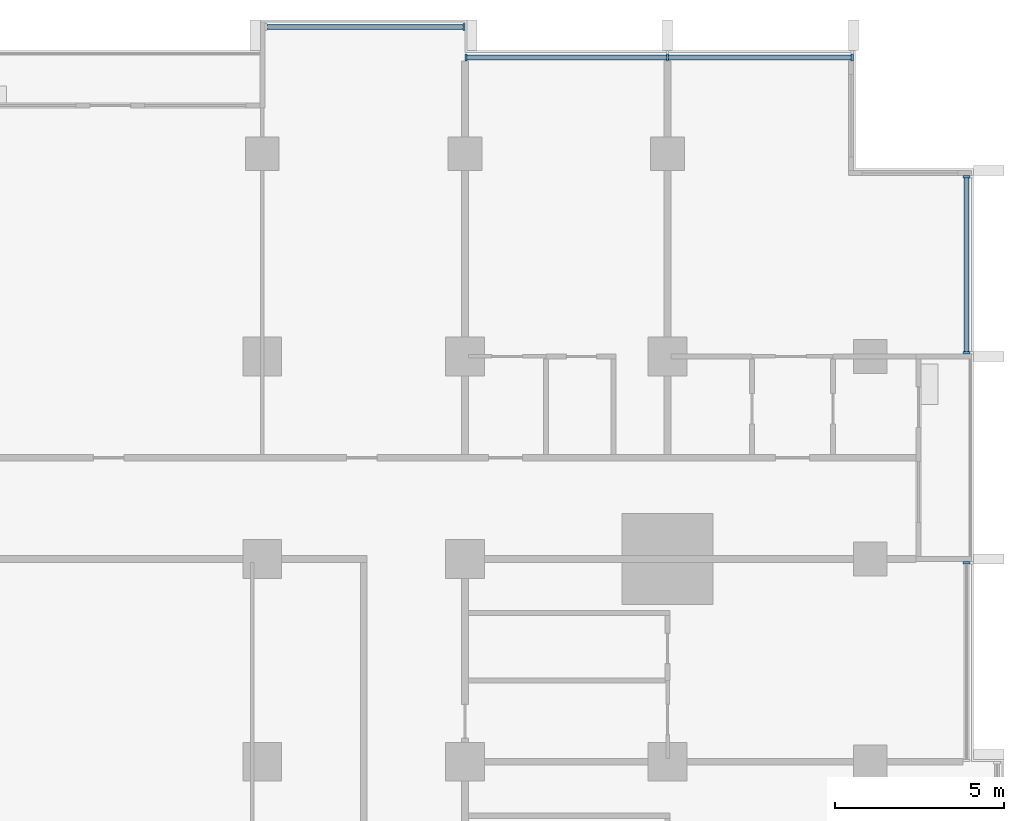
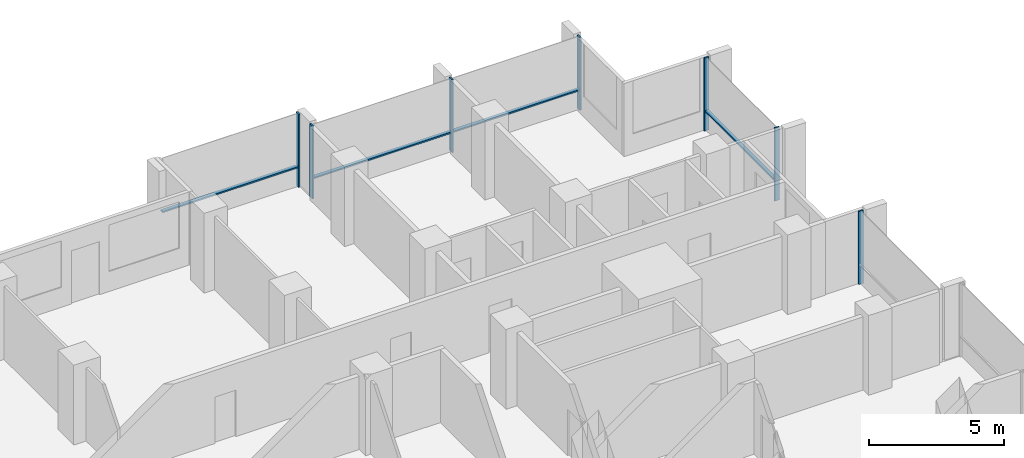
# One storey, part 5 of 17: 11 members, 4 elements without a shape of their own.
"""IFC4 building model written with IfcOpenShell, lengths in metres."""

from ifc_helpers import new_model, si_unit, direction, frame, origin, origin_2d, place, context, subcontext, project, spatial, rectangle, extrude, material, material_profile, profile_set, type_object, element, aggregate, save


model = new_model("IFC4")

# Units and contexts
model_context = context("Model", 3, precision=1e-05, world=origin(), true_north=direction((0.0, 1.0)))
body_context = subcontext(model_context, "Body", "Model", "MODEL_VIEW")
ifc_project = project(units=[si_unit("LENGTHUNIT", "METRE"), si_unit("AREAUNIT", "SQUARE_METRE"), si_unit("VOLUMEUNIT", "CUBIC_METRE"), si_unit("PLANEANGLEUNIT", "RADIAN"), si_unit("MASSUNIT", "GRAM", prefix="KILO")], contexts=[model_context])

# Site, building, storey
site_placement = place(None, origin())
site = spatial("IfcSite", under=ifc_project, at=site_placement, CompositionType="ELEMENT")
building_placement = place(site_placement, origin())
building = spatial("IfcBuilding", under=site, at=building_placement, Name="Finial Court Residences", CompositionType="ELEMENT")
storey_placement = place(building_placement, frame((0.0, 0.0, 113.5)))
storey = spatial("IfcBuildingStorey", under=building, at=storey_placement, Name="L28", CompositionType="ELEMENT", Elevation=113.5)

# Curtain wall, member
ifc_material = material(Name="Bronze anodised aluminium", Category="aluminium")
curtain_wall_type = type_object("IfcCurtainWallType", Name="Unitised curtain wall, lower and middle zones", PredefinedType="NOTDEFINED", material=ifc_material)
curtain_wall_1_placement = place(storey_placement, origin())
curtain_wall_1 = element("IfcCurtainWall", 1, at=curtain_wall_1_placement, inside=storey, type_object=curtain_wall_type, Name="E-L28-CW-N2", PredefinedType="NOTDEFINED")
ifc_material_profile_1 = material_profile(ifc_material, rectangle(XDim=0.199951171875, YDim=0.06494140625, at=origin_2d()), Name="CW1 mullion 65 x 200")
ifc_profile_set_1 = profile_set([ifc_material_profile_1], Name="Bronze anodised aluminium")
member_type_1 = type_object("IfcMemberType", Name="CW1 mullion 65 x 200", PredefinedType="MULLION", material=ifc_profile_set_1)
member_1_placement = place(storey_placement, frame((10.467529296875, 23.25, 0.0), z_axis=(0.0, 0.0, 1.0), x_axis=(0.0, 1.0, 0.0)))
member_1 = element("IfcMember", 2, at=member_1_placement, type_object=member_type_1, Name="CW1 mullion 2", PredefinedType="MULLION", context=body_context, shape_type="SweptSolid", body=[
    extrude(rectangle(XDim=0.199951171875, YDim=0.06494140625, at=origin_2d()), origin(), (0.0, 0.0, 1.0), 3.300048828125),
])

# Curtain wall, members
curtain_wall_2_placement = place(storey_placement, origin())
curtain_wall_2 = element("IfcCurtainWall", 3, at=curtain_wall_2_placement, inside=storey, type_object=curtain_wall_type, Name="E-L28-CW-N3", PredefinedType="NOTDEFINED")
member_2_placement = place(storey_placement, frame((10.532470703125, 22.35009765625, 0.0), z_axis=(0.0, 0.0, 1.0), x_axis=(0.0, 1.0, 0.0)))
member_2 = element("IfcMember", 4, at=member_2_placement, type_object=member_type_1, Name="CW1 mullion 1", PredefinedType="MULLION", context=body_context, shape_type="SweptSolid", body=[
    extrude(rectangle(XDim=0.199951171875, YDim=0.06494140625, at=origin_2d()), origin(), (0.0, 0.0, 1.0), 3.300048828125),
])
member_3_placement = place(storey_placement, frame((16.5, 22.35009765625, 0.0), z_axis=(0.0, 0.0, 1.0), x_axis=(0.0, 1.0, 0.0)))
member_3 = element("IfcMember", 5, at=member_3_placement, type_object=member_type_1, Name="CW1 mullion 2", PredefinedType="MULLION", context=body_context, shape_type="SweptSolid", body=[
    extrude(rectangle(XDim=0.199951171875, YDim=0.06494140625, at=origin_2d()), origin(), (0.0, 0.0, 1.0), 3.300048828125),
])
member_4_placement = place(storey_placement, frame((21.967529296875, 22.35009765625, 0.0), z_axis=(0.0, 0.0, 1.0), x_axis=(0.0, 1.0, 0.0)))
member_4 = element("IfcMember", 6, at=member_4_placement, type_object=member_type_1, Name="CW1 mullion 3", PredefinedType="MULLION", context=body_context, shape_type="SweptSolid", body=[
    extrude(rectangle(XDim=0.199951171875, YDim=0.06494140625, at=origin_2d()), origin(), (0.0, 0.0, 1.0), 3.300048828125),
])

# Curtain wall, member
curtain_wall_3_placement = place(storey_placement, origin())
curtain_wall_3 = element("IfcCurtainWall", 7, at=curtain_wall_3_placement, inside=storey, type_object=curtain_wall_type, Name="E-L28-CW-E6", PredefinedType="NOTDEFINED")
member_5_placement = place(storey_placement, frame((25.35009765625, 7.392578125, 0.0), z_axis=(0.0, 0.0, 1.0), x_axis=(-1.0, 0.0, 0.0)))
member_5 = element("IfcMember", 8, at=member_5_placement, type_object=member_type_1, Name="CW1 mullion 2", PredefinedType="MULLION", context=body_context, shape_type="SweptSolid", body=[
    extrude(rectangle(XDim=0.199951171875, YDim=0.06494140625, at=origin_2d()), origin(), (0.0, 0.0, 1.0), 3.300048828125),
])
aggregate(curtain_wall_3, [member_5])

# Curtain wall, members
curtain_wall_4_placement = place(storey_placement, origin())
curtain_wall_4 = element("IfcCurtainWall", 9, at=curtain_wall_4_placement, inside=storey, type_object=curtain_wall_type, Name="E-L28-CW-E7", PredefinedType="NOTDEFINED")
member_6_placement = place(storey_placement, frame((25.35009765625, 13.607421875, 0.0), z_axis=(0.0, 0.0, 1.0), x_axis=(-1.0, 0.0, 0.0)))
member_6 = element("IfcMember", 10, at=member_6_placement, type_object=member_type_1, Name="CW1 mullion 1", PredefinedType="MULLION", context=body_context, shape_type="SweptSolid", body=[
    extrude(rectangle(XDim=0.199951171875, YDim=0.06494140625, at=origin_2d()), origin(), (0.0, 0.0, 1.0), 3.300048828125),
])
member_7_placement = place(storey_placement, frame((25.35009765625, 18.8173828125, 0.0), z_axis=(0.0, 0.0, 1.0), x_axis=(-1.0, 0.0, 0.0)))
member_7 = element("IfcMember", 11, at=member_7_placement, type_object=member_type_1, Name="CW1 mullion 2", PredefinedType="MULLION", context=body_context, shape_type="SweptSolid", body=[
    extrude(rectangle(XDim=0.199951171875, YDim=0.06494140625, at=origin_2d()), origin(), (0.0, 0.0, 1.0), 3.300048828125),
])

# Member
ifc_material_profile_2 = material_profile(ifc_material, rectangle(XDim=0.14990234375, YDim=0.06494140625, at=origin_2d()), Name="CW1 transom 65 x 150")
ifc_profile_set_2 = profile_set([ifc_material_profile_2], Name="Bronze anodised aluminium")
member_type_2 = type_object("IfcMemberType", Name="CW1 transom 65 x 150", PredefinedType="USERDEFINED", material=ifc_profile_set_2)
member_8_placement = place(storey_placement, frame((4.639892578125, 23.25, 0.89990234375), z_axis=(1.0, 0.0, 0.0), x_axis=(0.0, 1.0, 0.0)))
member_8 = element("IfcMember", 12, at=member_8_placement, type_object=member_type_2, Name="CW1 transom 1.1", ObjectType="TRANSOM", PredefinedType="USERDEFINED", context=body_context, shape_type="SweptSolid", body=[
    extrude(rectangle(XDim=0.14990234375, YDim=0.06494140625, at=origin_2d()), origin(), (0.0, 0.0, 1.0), 5.795166015625),
])

aggregate(curtain_wall_1, [member_1, member_8])

member_9_placement = place(storey_placement, frame((10.56494140625, 22.35009765625, 0.89990234375), z_axis=(1.0, 0.0, 0.0), x_axis=(0.0, 1.0, 0.0)))
member_9 = element("IfcMember", 13, at=member_9_placement, type_object=member_type_2, Name="CW1 transom 1.1", ObjectType="TRANSOM", PredefinedType="USERDEFINED", context=body_context, shape_type="SweptSolid", body=[
    extrude(rectangle(XDim=0.14990234375, YDim=0.06494140625, at=origin_2d()), origin(), (0.0, 0.0, 1.0), 5.902587890625),
])

member_10_placement = place(storey_placement, frame((16.532470703125, 22.35009765625, 0.89990234375), z_axis=(1.0, 0.0, 0.0), x_axis=(0.0, 1.0, 0.0)))
member_10 = element("IfcMember", 14, at=member_10_placement, type_object=member_type_2, Name="CW1 transom 2.1", ObjectType="TRANSOM", PredefinedType="USERDEFINED", context=body_context, shape_type="SweptSolid", body=[
    extrude(rectangle(XDim=0.14990234375, YDim=0.06494140625, at=origin_2d()), origin(), (0.0, 0.0, 1.0), 5.402587890625),
])

aggregate(curtain_wall_2, [member_2, member_3, member_4, member_9, member_10])

member_11_placement = place(storey_placement, frame((25.35009765625, 13.639892578125, 0.89990234375), z_axis=(0.0, 1.0, 0.0), x_axis=(-1.0, 0.0, 0.0)))
member_11 = element("IfcMember", 15, at=member_11_placement, type_object=member_type_2, Name="CW1 transom 1.1", ObjectType="TRANSOM", PredefinedType="USERDEFINED", context=body_context, shape_type="SweptSolid", body=[
    extrude(rectangle(XDim=0.14990234375, YDim=0.06494140625, at=origin_2d()), origin(), (0.0, 0.0, 1.0), 5.14501953125),
])

aggregate(curtain_wall_4, [member_6, member_7, member_11])

save(model, "model.ifc")
